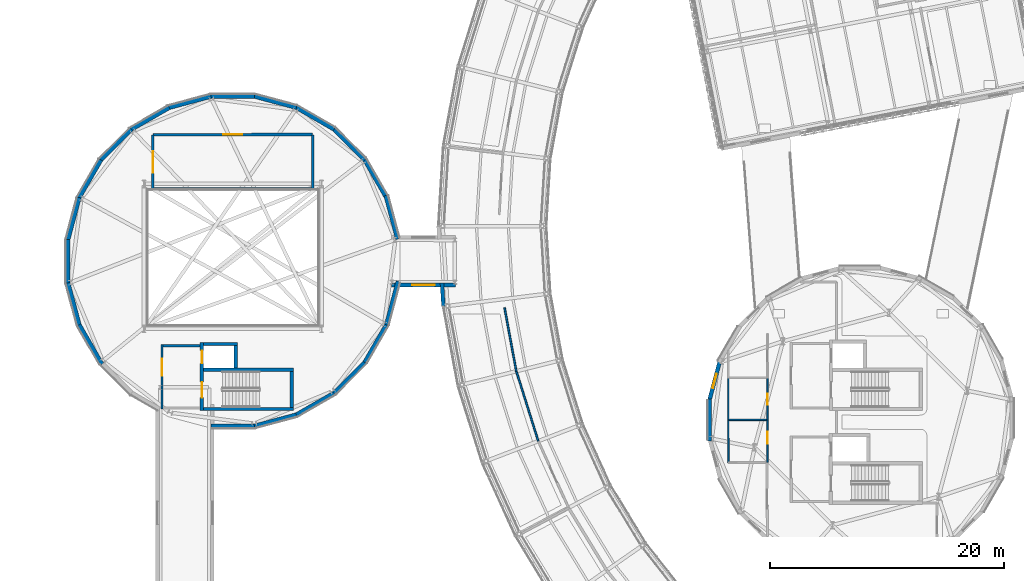
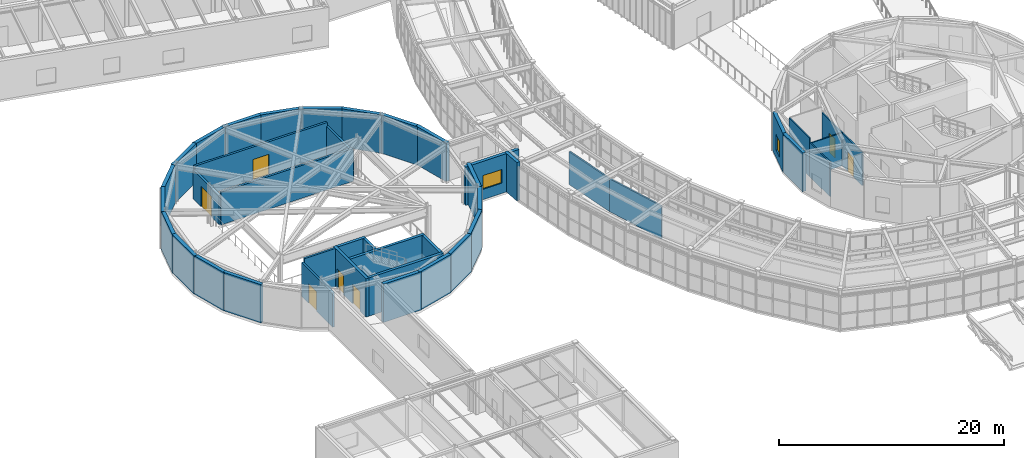
# One storey, part 75 of 103: 43 walls, 7 doors, 2 windows, 9 openings.
"""IFC4 building model written with IfcOpenShell, lengths in metres."""

from ifc_helpers import new_model, si_unit, direction, frame, frame_2d, origin, place, context, subcontext, project, spatial, rectangle, extrude, material, layer, layer_set, type_object, element, fill, save


model = new_model("IFC4")

# Units and contexts
model_context = context("Model", 3, precision=1e-05, world=origin(), true_north=direction((0.0, 1.0)))
body_context = subcontext(model_context, "Body", "Model", "MODEL_VIEW")
ifc_project = project(units=[si_unit("LENGTHUNIT", "METRE"), si_unit("AREAUNIT", "SQUARE_METRE"), si_unit("VOLUMEUNIT", "CUBIC_METRE"), si_unit("PLANEANGLEUNIT", "RADIAN"), si_unit("MASSUNIT", "GRAM", prefix="KILO")], contexts=[model_context])

# Site, building, storey
site_placement = place(None, origin())
site = spatial("IfcSite", under=ifc_project, at=site_placement, CompositionType="ELEMENT")
building_placement = place(site_placement, origin())
building = spatial("IfcBuilding", under=site, at=building_placement, Name="Varnklinge Art Gallery", CompositionType="ELEMENT")
storey_placement = place(building_placement, frame((0.0, 0.0, 5.10009765625)))
storey = spatial("IfcBuildingStorey", under=building, at=storey_placement, Name="L01", CompositionType="ELEMENT", Elevation=5.10009765625)

# Wall
ifc_material_1 = material(Name="Precast concrete C40/50", Category="concrete")
ifc_layer_1 = layer(ifc_material_1, 0.320068359375)
ifc_layer_set_1 = layer_set([ifc_layer_1], Name="Precast concrete C40/50")
wall_type_1 = type_object("IfcWallType", Name="EW-32", PredefinedType="SOLIDWALL", material=ifc_layer_set_1)
wall_1_placement = place(storey_placement, frame((39.810546875, 48.1240234375, 0.0), z_axis=(0.0, 0.0, 1.0), x_axis=(-0.060797305058, 0.998150132845, 0.0)))
element("IfcWall", 1, at=wall_1_placement, inside=storey, type_object=wall_type_1, Name="EW-V2O-L01-K26-2", PredefinedType="SOLIDWALL", context=body_context, shape_type="SweptSolid", body=[
    extrude(rectangle(XDim=1.999755859375, YDim=0.320068359375, at=frame_2d((1.0, 0.0))), origin(), (0.0, 0.0, 1.0), 4.179931640625),
])

# Wall, opening, window
wall_2_placement = place(storey_placement, frame((40.85009765625, 49.9599609375, 0.0), z_axis=(0.0, 0.0, 1.0), x_axis=(-1.0, 0.0, 0.0)))
wall_2 = element("IfcWall", 2, at=wall_2_placement, inside=storey, type_object=wall_type_1, Name="L01 Gallery Link Wall EW-LNK-V3-L01-S", PredefinedType="SOLIDWALL", context=body_context, shape_type="SweptSolid", body=[
    extrude(rectangle(XDim=5.5, YDim=0.320068359375, at=frame_2d((2.75, 0.0))), origin(), (0.0, 0.0, 1.0), 4.169921875),
])
opening_1_placement = place(wall_2_placement, frame((1.77490234375, 0.0, 1.1201171875)))
opening_1 = element("IfcOpeningElement", 3, at=opening_1_placement, cuts=wall_2, Name="Opening WN-05", PredefinedType="OPENING", context=body_context, shape_type="SweptSolid", body=[
    extrude(rectangle(XDim=1.949951171875, YDim=1.5, at=frame_2d((0.97509765625, 0.75))), frame((0.0, 0.170166015625, 0.0), z_axis=(0.0, -1.0, 0.0), x_axis=(1.0, 0.0, 0.0)), (0.0, 0.0, 1.0), 0.340087890625),
])
ifc_material_2 = material(Name="Insulated Low-E Triple Glazing", Category="glass")
window_type_1 = type_object("IfcWindowType", Name="WN-05", PartitioningType="SINGLE_PANEL", PredefinedType="WINDOW", material=ifc_material_2)
window_1_placement = place(opening_1_placement, origin())
window_1 = element("IfcWindow", 4, at=window_1_placement, inside=storey, type_object=window_type_1, Name="L01 Window WIN-L01-216", OverallHeight=1.5, OverallWidth=1.949951171875, PartitioningType="SINGLE_PANEL", PredefinedType="WINDOW", context=body_context, shape_type="SweptSolid", body=[
    extrude(rectangle(XDim=1.949951171875, YDim=1.5, at=frame_2d((0.97509765625, 0.75))), frame((0.0, 0.030029296875, 0.0), z_axis=(0.0, -1.0, 0.0), x_axis=(1.0, 0.0, 0.0)), (0.0, 0.0, 1.0), 0.06005859375),
])
fill(opening_1, window_1)

# Wall
ifc_material_3 = material(Name="Precast concrete C40/50", Category="concrete")
ifc_layer_2 = layer(ifc_material_3, 0.340087890625)
ifc_layer_set_2 = layer_set([ifc_layer_2], Name="Precast concrete C40/50")
wall_type_2 = type_object("IfcWallType", Name="EW-34", PredefinedType="SOLIDWALL", material=ifc_layer_set_2)
wall_3_placement = place(storey_placement, frame((62.5830078125, 36.62939453125, 0.0), z_axis=(0.0, 0.0, 1.0), x_axis=(0.0, 1.0, 0.0)))
element("IfcWall", 5, at=wall_3_placement, inside=storey, type_object=wall_type_2, Name="L01 Exterior Wall EW-V4D-L01-12", PredefinedType="SOLIDWALL", context=body_context, shape_type="SweptSolid", body=[
    extrude(rectangle(XDim=3.571044921875, YDim=0.340087890625, at=frame_2d((1.78564453125, 0.0))), origin(), (0.0, 0.0, 1.0), 4.199951171875),
])

# Wall, opening, window
wall_4_placement = place(storey_placement, frame((62.538818359375, 40.036376953125, 0.0), z_axis=(0.0, 0.0, 1.0), x_axis=(0.258828348784, 0.965923333327, 0.0)))
wall_4 = element("IfcWall", 6, at=wall_4_placement, inside=storey, type_object=wall_type_2, Name="L01 Exterior Wall EW-V4D-L01-13", PredefinedType="SOLIDWALL", context=body_context, shape_type="SweptSolid", body=[
    extrude(rectangle(XDim=3.571044921875, YDim=0.340087890625, at=frame_2d((1.78564453125, 0.0))), origin(), (0.0, 0.0, 1.0), 4.199951171875),
])
opening_2_placement = place(wall_4_placement, frame((1.16064453125, 0.0, 0.85009765625)))
opening_2 = element("IfcOpeningElement", 7, at=opening_2_placement, cuts=wall_4, Name="Opening WN-09", PredefinedType="OPENING", context=body_context, shape_type="SweptSolid", body=[
    extrude(rectangle(XDim=1.25, YDim=1.699951171875, at=frame_2d((0.625, 0.85009765625))), frame((0.0, 0.179931640625, 0.0), z_axis=(0.0, -1.0, 0.0), x_axis=(1.0, 0.0, 0.0)), (0.0, 0.0, 1.0), 0.360107421875),
])
ifc_material_4 = material(Name="Insulated Low-E Triple Glazing", Category="glass")
window_type_2 = type_object("IfcWindowType", Name="WN-09", PartitioningType="SINGLE_PANEL", PredefinedType="WINDOW", material=ifc_material_4)
window_2_placement = place(opening_2_placement, origin())
window_2 = element("IfcWindow", 8, at=window_2_placement, inside=storey, type_object=window_type_2, Name="L01 Window WIN-L01-080", OverallHeight=1.699951171875, OverallWidth=1.25, PartitioningType="SINGLE_PANEL", PredefinedType="WINDOW", context=body_context, shape_type="SweptSolid", body=[
    extrude(rectangle(XDim=1.25, YDim=1.699951171875, at=frame_2d((0.625, 0.85009765625))), frame((0.0, 0.030029296875, 0.0), z_axis=(0.0, -1.0, 0.0), x_axis=(1.0, 0.0, 0.0)), (0.0, 0.0, 1.0), 0.06005859375),
])
fill(opening_2, window_2)

# Walls
ifc_material_5 = material(Name="Concrete C40/50", Category="concrete")
ifc_layer_3 = layer(ifc_material_5, 0.360107421875)
ifc_layer_set_3 = layer_set([ifc_layer_3], Name="Concrete C40/50")
wall_type_3 = type_object("IfcWallType", Name="EW-36", PredefinedType="SOLIDWALL", material=ifc_layer_set_3)
wall_5_placement = place(storey_placement, frame((35.93701171875, 50.2939453125, 0.0), z_axis=(0.0, 0.0, 1.0), x_axis=(-0.258798150836, -0.965931424649, 0.0)))
element("IfcWall", 9, at=wall_5_placement, inside=storey, type_object=wall_type_3, Name="L01 Exterior Wall EW-V3-L01-01", PredefinedType="SOLIDWALL", context=body_context, shape_type="SweptSolid", body=[
    extrude(rectangle(XDim=3.866943359375, YDim=0.360107421875, at=frame_2d((1.93359375, 0.0))), origin(), (0.0, 0.0, 1.0), 4.169921875),
])
wall_6_placement = place(storey_placement, frame((35.026123046875, 46.71484375, 0.0), z_axis=(0.0, 0.0, 1.0), x_axis=(-0.499957759415, -0.866049790024, 0.0)))
element("IfcWall", 10, at=wall_6_placement, inside=storey, type_object=wall_type_3, Name="L01 Exterior Wall EW-V3-L01-02", PredefinedType="SOLIDWALL", context=body_context, shape_type="SweptSolid", body=[
    extrude(rectangle(XDim=3.891845703125, YDim=0.360107421875, at=frame_2d((1.94580078125, 0.0))), origin(), (0.0, 0.0, 1.0), 4.169921875),
])
wall_7_placement = place(storey_placement, frame((33.20751953125, 43.4716796875, 0.0), z_axis=(0.0, 0.0, 1.0), x_axis=(-0.707075413469, -0.707138147513, 0.0)))
element("IfcWall", 11, at=wall_7_placement, inside=storey, type_object=wall_type_3, Name="L01 Exterior Wall EW-V3-L01-03", PredefinedType="SOLIDWALL", context=body_context, shape_type="SweptSolid", body=[
    extrude(rectangle(XDim=3.8916015625, YDim=0.360107421875, at=frame_2d((1.94580078125, 0.0))), origin(), (0.0, 0.0, 1.0), 4.169921875),
])
wall_8_placement = place(storey_placement, frame((30.611572265625, 40.809814453125, 0.0), z_axis=(0.0, 0.0, 1.0), x_axis=(-0.866006944682, -0.50003197074, 0.0)))
element("IfcWall", 12, at=wall_8_placement, inside=storey, type_object=wall_type_3, Name="L01 Exterior Wall EW-V3-L01-04", PredefinedType="SOLIDWALL", context=body_context, shape_type="SweptSolid", body=[
    extrude(rectangle(XDim=3.891845703125, YDim=0.360107421875, at=frame_2d((1.94580078125, 0.0))), origin(), (0.0, 0.0, 1.0), 4.169921875),
])
wall_9_placement = place(storey_placement, frame((27.4150390625, 38.910400390625, 0.0), z_axis=(0.0, 0.0, 1.0), x_axis=(-0.965935451034, -0.258783122395, 0.0)))
element("IfcWall", 13, at=wall_9_placement, inside=storey, type_object=wall_type_3, Name="L01 Exterior Wall EW-V3-L01-05", PredefinedType="SOLIDWALL", context=body_context, shape_type="SweptSolid", body=[
    extrude(rectangle(XDim=3.8916015625, YDim=0.360107421875, at=frame_2d((1.94580078125, 0.0))), origin(), (0.0, 0.0, 1.0), 4.169921875),
])
wall_10_placement = place(storey_placement, frame((23.8359375, 37.9033203125, 0.0), z_axis=(0.0, 0.0, 1.0), x_axis=(-1.0, 0.0, 0.0)))
element("IfcWall", 14, at=wall_10_placement, inside=storey, type_object=wall_type_3, Name="L01 Exterior Wall EW-V3-L01-06", PredefinedType="SOLIDWALL", context=body_context, shape_type="SweptSolid", body=[
    extrude(rectangle(XDim=3.891845703125, YDim=0.360107421875, at=frame_2d((1.94580078125, 0.0))), origin(), (0.0, 0.0, 1.0), 4.169921875),
])
for number, where, z_axis, x_axis, name in (
    (15, (10.609619140625, 43.1884765625, 0.0), (0.0, 0.0, 1.0), (-0.499984921984, 0.866034108906, 0.0), "L01 Exterior Wall EW-V3-L01-09"),
    (16, (8.71044921875, 46.385009765625, 0.0), (0.0, 0.0, 1.0), (-0.25884165497, 0.96591976771, 0.0), "L01 Exterior Wall EW-V3-L01-10"),
):
    element("IfcWall", number, at=place(storey_placement, frame(where, z_axis=z_axis, x_axis=x_axis)), inside=storey, type_object=wall_type_3, Name=name, PredefinedType="SOLIDWALL", context=body_context, shape_type="SweptSolid", body=[
        extrude(rectangle(XDim=3.8916015625, YDim=0.360107421875, at=frame_2d((1.94580078125, 0.0))), origin(), (0.0, 0.0, 1.0), 4.169921875),
    ])
for number, where, z_axis, x_axis, name in (
    (17, (7.703125, 49.964111328125, 0.0), (0.0, 0.0, 1.0), (0.0, 1.0, 0.0), "L01 Exterior Wall EW-V3-L01-11"),
    (18, (7.656494140625, 53.681884765625, 0.0), (0.0, 0.0, 1.0), (0.258825971043, 0.965923970462, 0.0), "L01 Exterior Wall EW-V3-L01-12"),
):
    element("IfcWall", number, at=place(storey_placement, frame(where, z_axis=z_axis, x_axis=x_axis)), inside=storey, type_object=wall_type_3, Name=name, PredefinedType="SOLIDWALL", context=body_context, shape_type="SweptSolid", body=[
        extrude(rectangle(XDim=3.891845703125, YDim=0.360107421875, at=frame_2d((1.94580078125, 0.0))), origin(), (0.0, 0.0, 1.0), 4.169921875),
    ])
wall_11_placement = place(storey_placement, frame((8.57373046875, 57.28515625, 0.0), z_axis=(0.0, 0.0, 1.0), x_axis=(0.50000480732, 0.866022628259, 0.0)))
element("IfcWall", 19, at=wall_11_placement, inside=storey, type_object=wall_type_3, Name="L01 Exterior Wall EW-V3-L01-13", PredefinedType="SOLIDWALL", context=body_context, shape_type="SweptSolid", body=[
    extrude(rectangle(XDim=3.89208984375, YDim=0.360107421875, at=frame_2d((1.946044921875, 0.0))), origin(), (0.0, 0.0, 1.0), 4.169921875),
])
wall_12_placement = place(storey_placement, frame((10.392333984375, 60.5283203125, 0.0), z_axis=(0.0, 0.0, 1.0), x_axis=(0.707106781187, 0.707106781187, 0.0)))
element("IfcWall", 20, at=wall_12_placement, inside=storey, type_object=wall_type_3, Name="L01 Exterior Wall EW-V3-L01-14", PredefinedType="SOLIDWALL", context=body_context, shape_type="SweptSolid", body=[
    extrude(rectangle(XDim=3.891845703125, YDim=0.360107421875, at=frame_2d((1.94580078125, 0.0))), origin(), (0.0, 0.0, 1.0), 4.169921875),
])
wall_13_placement = place(storey_placement, frame((12.98828125, 63.190185546875, 0.0), z_axis=(0.0, 0.0, 1.0), x_axis=(0.866022628259, 0.50000480732, 0.0)))
element("IfcWall", 21, at=wall_13_placement, inside=storey, type_object=wall_type_3, Name="L01 Exterior Wall EW-V3-L01-15", PredefinedType="SOLIDWALL", context=body_context, shape_type="SweptSolid", body=[
    extrude(rectangle(XDim=3.89208984375, YDim=0.360107421875, at=frame_2d((1.946044921875, 0.0))), origin(), (0.0, 0.0, 1.0), 4.169921875),
])
wall_14_placement = place(storey_placement, frame((16.18505859375, 65.089599609375, 0.0), z_axis=(0.0, 0.0, 1.0), x_axis=(0.965935451034, 0.258783122395, 0.0)))
element("IfcWall", 22, at=wall_14_placement, inside=storey, type_object=wall_type_3, Name="L01 Exterior Wall EW-V3-L01-16", PredefinedType="SOLIDWALL", context=body_context, shape_type="SweptSolid", body=[
    extrude(rectangle(XDim=3.8916015625, YDim=0.360107421875, at=frame_2d((1.94580078125, 0.0))), origin(), (0.0, 0.0, 1.0), 4.169921875),
])
for number, where, z_axis, x_axis, name in (
    (23, (19.76416015625, 66.0966796875, 0.0), (0.0, 0.0, 1.0), (1.0, 0.0, 0.0), "L01 Exterior Wall EW-V3-L01-17"),
    (24, (23.48193359375, 66.143310546875, 0.0), (0.0, 0.0, 1.0), (0.965939651954, -0.258767441506, 0.0), "L01 Exterior Wall EW-V3-L01-18"),
):
    element("IfcWall", number, at=place(storey_placement, frame(where, z_axis=z_axis, x_axis=x_axis)), inside=storey, type_object=wall_type_3, Name=name, PredefinedType="SOLIDWALL", context=body_context, shape_type="SweptSolid", body=[
        extrude(rectangle(XDim=3.891845703125, YDim=0.360107421875, at=frame_2d((1.94580078125, 0.0))), origin(), (0.0, 0.0, 1.0), 4.169921875),
    ])
wall_15_placement = place(storey_placement, frame((27.085205078125, 65.226318359375, 0.0), z_axis=(0.0, 0.0, 1.0), x_axis=(0.866022628259, -0.50000480732, 0.0)))
element("IfcWall", 25, at=wall_15_placement, inside=storey, type_object=wall_type_3, Name="L01 Exterior Wall EW-V3-L01-19", PredefinedType="SOLIDWALL", context=body_context, shape_type="SweptSolid", body=[
    extrude(rectangle(XDim=3.89208984375, YDim=0.360107421875, at=frame_2d((1.946044921875, 0.0))), origin(), (0.0, 0.0, 1.0), 4.169921875),
])
for number, where, z_axis, x_axis, name in (
    (26, (30.328369140625, 63.40771484375, 0.0), (0.0, 0.0, 1.0), (0.707106781187, -0.707106781187, 0.0), "L01 Exterior Wall EW-V3-L01-20"),
    (27, (32.990234375, 60.8115234375, 0.0), (0.0, 0.0, 1.0), (0.50003197074, -0.866006944682, 0.0), "L01 Exterior Wall EW-V3-L01-21"),
):
    element("IfcWall", number, at=place(storey_placement, frame(where, z_axis=z_axis, x_axis=x_axis)), inside=storey, type_object=wall_type_3, Name=name, PredefinedType="SOLIDWALL", context=body_context, shape_type="SweptSolid", body=[
        extrude(rectangle(XDim=3.891845703125, YDim=0.360107421875, at=frame_2d((1.94580078125, 0.0))), origin(), (0.0, 0.0, 1.0), 4.169921875),
    ])
wall_16_placement = place(storey_placement, frame((34.8896484375, 57.614990234375, 0.0), z_axis=(0.0, 0.0, 1.0), x_axis=(0.258798150836, -0.965931424649, 0.0)))
element("IfcWall", 28, at=wall_16_placement, inside=storey, type_object=wall_type_3, Name="L01 Exterior Wall EW-V3-L01-22", PredefinedType="SOLIDWALL", context=body_context, shape_type="SweptSolid", body=[
    extrude(rectangle(XDim=3.866943359375, YDim=0.360107421875, at=frame_2d((1.93359375, 0.0))), origin(), (0.0, 0.0, 1.0), 4.169921875),
])

# Wall, opening, door
ifc_material_6 = material(Name="Gypsum Board Partition", Category="gypsum")
ifc_layer_4 = layer(ifc_material_6, 0.1201171875)
ifc_layer_set_4 = layer_set([ifc_layer_4], Name="Gypsum Board Partition")
wall_type_4 = type_object("IfcWallType", Name="IW-12", PredefinedType="PARTITIONING", material=ifc_layer_set_4)
wall_17_placement = place(storey_placement, frame((67.530029296875, 38.39990234375, 0.0), z_axis=(0.0, 0.0, 1.0), x_axis=(0.0, -1.0, 0.0)))
wall_17 = element("IfcWall", 29, at=wall_17_placement, inside=storey, type_object=wall_type_4, Name="L01 Partition Wall IW-L01-0207", PredefinedType="PARTITIONING", context=body_context, shape_type="SweptSolid", body=[
    extrude(rectangle(XDim=3.599853515625, YDim=0.1201171875, at=frame_2d((1.7998046875, 0.0))), origin(), (0.0, 0.0, 1.0), 3.58984375),
])
opening_3_placement = place(wall_17_placement, frame((1.001953125, 0.0, 0.0)))
opening_3 = element("IfcOpeningElement", 30, at=opening_3_placement, cuts=wall_17, Name="Opening D-L01-198", PredefinedType="OPENING", context=body_context, shape_type="SweptSolid", body=[
    extrude(rectangle(XDim=1.02001953125, YDim=2.1201171875, at=frame_2d((0.510009765625, 1.06005859375))), frame((0.0, 0.070068359375, 0.0), z_axis=(0.0, -1.0, 0.0), x_axis=(1.0, 0.0, 0.0)), (0.0, 0.0, 1.0), 0.14013671875),
])
ifc_material_7 = material(Name="Oak Timber Leaf", Category="wood")
door_type_1 = type_object("IfcDoorType", Name="ID-03", OperationType="SINGLE_SWING_LEFT", PredefinedType="DOOR", material=ifc_material_7)
door_1_placement = place(opening_3_placement, origin())
door_1 = element("IfcDoor", 31, at=door_1_placement, inside=storey, type_object=door_type_1, Name="L01 L01 Accessible WC Central Door D-L01-198", OperationType="SINGLE_SWING_RIGHT", OverallHeight=2.1201171875, OverallWidth=1.02001953125, PredefinedType="DOOR", context=body_context, shape_type="SweptSolid", body=[
    extrude(rectangle(XDim=1.02001953125, YDim=2.1201171875, at=frame_2d((0.510009765625, 1.06005859375))), frame((0.0, 0.02490234375, 0.0), z_axis=(0.0, -1.0, 0.0), x_axis=(1.0, 0.0, 0.0)), (0.0, 0.0, 1.0), 0.050048828125),
])
fill(opening_3, door_1)

wall_18_placement = place(storey_placement, frame((67.530029296875, 42.0, 0.0), z_axis=(0.0, 0.0, 1.0), x_axis=(0.0, -1.0, 0.0)))
wall_18 = element("IfcWall", 32, at=wall_18_placement, inside=storey, type_object=wall_type_4, Name="L01 Partition Wall IW-L01-0208", PredefinedType="PARTITIONING", context=body_context, shape_type="SweptSolid", body=[
    extrude(rectangle(XDim=3.60009765625, YDim=0.1201171875, at=frame_2d((1.800048828125, 0.0))), origin(), (0.0, 0.0, 1.0), 3.58984375),
])
opening_4_placement = place(wall_18_placement, frame((1.320068359375, 0.0, 0.0)))
opening_4 = element("IfcOpeningElement", 33, at=opening_4_placement, cuts=wall_18, Name="Opening D-L01-199", PredefinedType="OPENING", context=body_context, shape_type="SweptSolid", body=[
    extrude(rectangle(XDim=0.9599609375, YDim=2.10009765625, at=frame_2d((0.47998046875, 1.050048828125))), frame((0.0, 0.070068359375, 0.0), z_axis=(0.0, -1.0, 0.0), x_axis=(1.0, 0.0, 0.0)), (0.0, 0.0, 1.0), 0.14013671875),
])
ifc_material_8 = material(Name="Oak Timber Leaf", Category="wood")
door_type_2 = type_object("IfcDoorType", Name="ID-02", OperationType="SINGLE_SWING_RIGHT", PredefinedType="DOOR", material=ifc_material_8)
door_2_placement = place(opening_4_placement, origin())
door_2 = element("IfcDoor", 34, at=door_2_placement, inside=storey, type_object=door_type_2, Name="L01 L01 Public Restroom Central Door D-L01-199", OperationType="SINGLE_SWING_LEFT", OverallHeight=2.10009765625, OverallWidth=0.9599609375, PredefinedType="DOOR", context=body_context, shape_type="SweptSolid", body=[
    extrude(rectangle(XDim=0.9599609375, YDim=2.10009765625, at=frame_2d((0.47998046875, 1.050048828125))), frame((0.0, 0.02490234375, 0.0), z_axis=(0.0, -1.0, 0.0), x_axis=(1.0, 0.0, 0.0)), (0.0, 0.0, 1.0), 0.050048828125),
])
fill(opening_4, door_2)

# Walls
wall_19_placement = place(storey_placement, frame((64.199951171875, 38.429931640625, 0.0), z_axis=(0.0, 0.0, 1.0), x_axis=(1.0, 0.0, 0.0)))
element("IfcWall", 35, at=wall_19_placement, inside=storey, type_object=wall_type_4, Name="L01 Partition Wall IW-L01-0247", PredefinedType="PARTITIONING", context=body_context, shape_type="SweptSolid", body=[
    extrude(rectangle(XDim=3.255126953125, YDim=0.1201171875, at=frame_2d((1.62744140625, 0.0))), origin(), (0.0, 0.0, 1.0), 3.58984375),
])
wall_20_placement = place(storey_placement, frame((64.1767578125, 34.781005859375, 0.0), z_axis=(0.0, 0.0, 1.0), x_axis=(-0.001888952982, 0.999998215927, 0.0)))
element("IfcWall", 36, at=wall_20_placement, inside=storey, type_object=wall_type_4, Name="L01 Partition Wall IW-L01-0249", PredefinedType="PARTITIONING", context=body_context, shape_type="SweptSolid", body=[
    extrude(rectangle(XDim=3.618896484375, YDim=0.1201171875, at=frame_2d((1.8095703125, 0.0))), origin(), (0.0, 0.0, 1.0), 3.739990234375),
])
wall_21_placement = place(storey_placement, frame((64.169921875, 38.39990234375, 0.0), z_axis=(0.0, 0.0, 1.0), x_axis=(0.0, 1.0, 0.0)))
element("IfcWall", 37, at=wall_21_placement, inside=storey, type_object=wall_type_4, Name="L01 Partition Wall IW-L01-0251", PredefinedType="PARTITIONING", context=body_context, shape_type="SweptSolid", body=[
    extrude(rectangle(XDim=3.60009765625, YDim=0.1201171875, at=frame_2d((1.800048828125, 0.0))), origin(), (0.0, 0.0, 1.0), 4.18994140625),
])
ifc_material_9 = material(Name="Gypsum Board Partition", Category="gypsum")
ifc_layer_5 = layer(ifc_material_9, 0.14990234375)
ifc_layer_set_5 = layer_set([ifc_layer_5], Name="Gypsum Board Partition")
wall_type_5 = type_object("IfcWallType", Name="IW-15", PredefinedType="PARTITIONING", material=ifc_layer_set_5)
wall_22_placement = place(storey_placement, frame((47.9189453125, 36.61279296875, 0.0), z_axis=(0.0, 0.0, 1.0), x_axis=(-0.299731275576, 0.954023669749, 0.0)))
element("IfcWall", 38, at=wall_22_placement, inside=storey, type_object=wall_type_5, Name="L01 Partition Wall IW-L01-0192", PredefinedType="PARTITIONING", context=body_context, shape_type="SweptSolid", body=[
    extrude(rectangle(XDim=6.260498046875, YDim=0.14990234375, at=frame_2d((3.13037109375, 0.0))), origin(), (0.0, 0.0, 1.0), 3.56982421875),
])
wall_23_placement = place(storey_placement, frame((46.04248046875, 42.58544921875, 0.0), z_axis=(0.0, 0.0, 1.0), x_axis=(-0.181670810404, 0.983359403599, 0.0)))
element("IfcWall", 39, at=wall_23_placement, inside=storey, type_object=wall_type_5, Name="L01 Partition Wall IW-L01-0193", PredefinedType="PARTITIONING", context=body_context, shape_type="SweptSolid", body=[
    extrude(rectangle(XDim=5.53662109375, YDim=0.14990234375, at=frame_2d((2.768310546875, 0.0))), origin(), (0.0, 0.0, 1.0), 3.56982421875),
])
ifc_material_10 = material(Name="Concrete C40/50", Category="concrete")
ifc_layer_6 = layer(ifc_material_10, 0.199951171875)
ifc_layer_set_6 = layer_set([ifc_layer_6], Name="Concrete C40/50")
wall_type_6 = type_object("IfcWallType", Name="IW-20", PredefinedType="PARTITIONING", material=ifc_layer_set_6)
wall_24_placement = place(storey_placement, frame((19.0, 44.760009765625, 0.0), z_axis=(0.0, 0.0, 1.0), x_axis=(-1.0, 0.0, 0.0)))
element("IfcWall", 40, at=wall_24_placement, inside=storey, type_object=wall_type_6, Name="L01 Core C6 Lobby North Wall", PredefinedType="PARTITIONING", context=body_context, shape_type="SweptSolid", body=[
    extrude(rectangle(XDim=3.14990234375, YDim=0.199951171875, at=frame_2d((1.574951171875, 0.0))), origin(), (0.0, 0.0, 1.0), 4.169921875),
])

# Wall, opening, door
wall_25_placement = place(storey_placement, frame((15.75, 39.35009765625, 0.0), z_axis=(0.0, 0.0, 1.0), x_axis=(0.0, 1.0, 0.0)))
wall_25 = element("IfcWall", 41, at=wall_25_placement, inside=storey, type_object=wall_type_6, Name="L01 Core C6 Lobby Corridor Wall", PredefinedType="PARTITIONING", context=body_context, shape_type="SweptSolid", body=[
    extrude(rectangle(XDim=5.510009765625, YDim=0.199951171875, at=frame_2d((2.7548828125, 0.0))), origin(), (0.0, 0.0, 1.0), 3.7099609375),
])
opening_5_placement = place(wall_25_placement, frame((2.841552734375, 0.0, 0.0)))
opening_5 = element("IfcOpeningElement", 42, at=opening_5_placement, cuts=wall_25, Name="Opening D-L01-093", PredefinedType="OPENING", context=body_context, shape_type="SweptSolid", body=[
    extrude(rectangle(XDim=1.47998046875, YDim=2.14990234375, at=frame_2d((0.739990234375, 1.074951171875))), frame((0.0, 0.110107421875, 0.0), z_axis=(0.0, -1.0, 0.0), x_axis=(1.0, 0.0, 0.0)), (0.0, 0.0, 1.0), 0.219970703125),
])
ifc_material_11 = material(Name="Galvanised Fire-Rated Steel", Category="steel")
door_type_3 = type_object("IfcDoorType", Name="ID-LB1", OperationType="DOUBLE_DOOR_SINGLE_SWING", PredefinedType="DOOR", material=ifc_material_11)
door_3_placement = place(opening_5_placement, origin())
door_3 = element("IfcDoor", 43, at=door_3_placement, inside=storey, type_object=door_type_3, Name="L01 Core C6 Protected Lobby Door D-L01-093", OperationType="DOUBLE_DOOR_SINGLE_SWING", OverallHeight=2.14990234375, OverallWidth=1.47998046875, PredefinedType="DOOR", context=body_context, shape_type="SweptSolid", body=[
    extrude(rectangle(XDim=1.47998046875, YDim=2.14990234375, at=frame_2d((0.739990234375, 1.074951171875))), frame((0.0, 0.02490234375, 0.0), z_axis=(0.0, -1.0, 0.0), x_axis=(1.0, 0.0, 0.0)), (0.0, 0.0, 1.0), 0.050048828125),
])
fill(opening_5, door_3)

ifc_material_12 = material(Name="Concrete C40/50", Category="concrete")
ifc_layer_7 = layer(ifc_material_12, 0.219970703125)
ifc_layer_set_7 = layer_set([ifc_layer_7], Name="Concrete C40/50")
wall_type_7 = type_object("IfcWallType", Name="IW-22", PredefinedType="PARTITIONING", material=ifc_layer_set_7)
wall_26_placement = place(storey_placement, frame((14.969970703125, 58.199951171875, 0.0), z_axis=(0.0, 0.0, 1.0), x_axis=(0.0, 1.0, 0.0)))
wall_26 = element("IfcWall", 44, at=wall_26_placement, inside=storey, type_object=wall_type_7, Name="L01 Partition Wall IW-L01-0203", PredefinedType="PARTITIONING", context=body_context, shape_type="SweptSolid", body=[
    extrude(rectangle(XDim=4.60009765625, YDim=0.219970703125, at=frame_2d((2.300048828125, 0.0))), origin(), (0.0, 0.0, 1.0), 3.14990234375),
])
opening_6_placement = place(wall_26_placement, frame((1.3798828125, 0.0, 0.0)))
opening_6 = element("IfcOpeningElement", 45, at=opening_6_placement, cuts=wall_26, Name="Opening D-L01-196", PredefinedType="OPENING", context=body_context, shape_type="SweptSolid", body=[
    extrude(rectangle(XDim=1.840087890625, YDim=2.219970703125, at=frame_2d((0.919921875, 1.10986328125))), frame((0.0, 0.119873046875, 0.0), z_axis=(0.0, -1.0, 0.0), x_axis=(1.0, 0.0, 0.0)), (0.0, 0.0, 1.0), 0.239990234375),
])
ifc_material_13 = material(Name="Anodised Aluminium", Category="aluminium")
door_type_4 = type_object("IfcDoorType", Name="ID-09", OperationType="DOUBLE_DOOR_SINGLE_SWING", PredefinedType="DOOR", material=ifc_material_13)
door_4_placement = place(opening_6_placement, origin())
door_4 = element("IfcDoor", 46, at=door_4_placement, inside=storey, type_object=door_type_4, Name="L01 L01 Raked Auditorium Upper Tier Door D-L01-196", OperationType="DOUBLE_DOOR_SINGLE_SWING", OverallHeight=2.219970703125, OverallWidth=1.840087890625, PredefinedType="DOOR", context=body_context, shape_type="SweptSolid", body=[
    extrude(rectangle(XDim=1.840087890625, YDim=2.219970703125, at=frame_2d((0.919921875, 1.10986328125))), frame((0.0, 0.02490234375, 0.0), z_axis=(0.0, -1.0, 0.0), x_axis=(1.0, 0.0, 0.0)), (0.0, 0.0, 1.0), 0.050048828125),
])
fill(opening_6, door_4)

wall_27_placement = place(storey_placement, frame((14.9912109375, 62.82861328125, 0.0), z_axis=(0.0, 0.0, 1.0), x_axis=(0.999999994207, 0.000107638764, 0.0)))
wall_27 = element("IfcWall", 47, at=wall_27_placement, inside=storey, type_object=wall_type_7, Name="L01 Partition Wall IW-L01-0204", PredefinedType="PARTITIONING", context=body_context, shape_type="SweptSolid", body=[
    extrude(rectangle(XDim=13.60888671875, YDim=0.219970703125, at=frame_2d((6.804443359375, 0.0))), origin(), (0.0, 0.0, 1.0), 3.559814453125),
])
opening_7_placement = place(wall_27_placement, frame((5.984375, 0.0, 0.0)))
opening_7 = element("IfcOpeningElement", 48, at=opening_7_placement, cuts=wall_27, Name="Opening D-L01-197", PredefinedType="OPENING", context=body_context, shape_type="SweptSolid", body=[
    extrude(rectangle(XDim=1.639892578125, YDim=2.199951171875, at=frame_2d((0.81982421875, 1.10009765625))), frame((0.0, 0.119873046875, 0.0), z_axis=(0.0, -1.0, 0.0), x_axis=(1.0, 0.0, 0.0)), (0.0, 0.0, 1.0), 0.239990234375),
])
ifc_material_14 = material(Name="Oak Timber Leaf", Category="wood")
door_type_5 = type_object("IfcDoorType", Name="ID-08", OperationType="DOUBLE_DOOR_SINGLE_SWING", PredefinedType="DOOR", material=ifc_material_14)
door_5_placement = place(opening_7_placement, origin())
door_5 = element("IfcDoor", 49, at=door_5_placement, inside=storey, type_object=door_type_5, Name="L01 L01 Raked Auditorium Upper Tier Door D-L01-197", OperationType="DOUBLE_DOOR_SINGLE_SWING", OverallHeight=2.199951171875, OverallWidth=1.639892578125, PredefinedType="DOOR", context=body_context, shape_type="SweptSolid", body=[
    extrude(rectangle(XDim=1.639892578125, YDim=2.199951171875, at=frame_2d((0.81982421875, 1.10009765625))), frame((0.0, 0.02490234375, 0.0), z_axis=(0.0, -1.0, 0.0), x_axis=(1.0, 0.0, 0.0)), (0.0, 0.0, 1.0), 0.050048828125),
])
fill(opening_7, door_5)

# Walls
wall_28_placement = place(storey_placement, frame((28.628662109375, 62.80859375, 0.0), z_axis=(0.0, 0.0, 1.0), x_axis=(0.000264872587, -0.999999964921, 0.0)))
element("IfcWall", 50, at=wall_28_placement, inside=storey, type_object=wall_type_7, Name="L01 Partition Wall IW-L01-0205", PredefinedType="PARTITIONING", context=body_context, shape_type="SweptSolid", body=[
    extrude(rectangle(XDim=4.608642578125, YDim=0.219970703125, at=frame_2d((2.30419921875, 0.0))), origin(), (0.0, 0.0, 1.0), 3.14990234375),
])
wall_29_placement = place(storey_placement, frame((28.608642578125, 58.17138671875, 0.0), z_axis=(0.0, 0.0, 1.0), x_axis=(-0.999999994207, -0.000107640695, 0.0)))
element("IfcWall", 51, at=wall_29_placement, inside=storey, type_object=wall_type_7, Name="L01 Partition Wall IW-L01-0206", PredefinedType="PARTITIONING", context=body_context, shape_type="SweptSolid", body=[
    extrude(rectangle(XDim=13.608642578125, YDim=0.219970703125, at=frame_2d((6.80419921875, 0.0))), origin(), (0.0, 0.0, 1.0), 3.559814453125),
])
ifc_material_15 = material(Name="Concrete C40/50", Category="concrete")
ifc_layer_8 = layer(ifc_material_15, 0.280029296875)
ifc_layer_set_8 = layer_set([ifc_layer_8], Name="Concrete C40/50")
wall_type_8 = type_object("IfcWallType", Name="SW-28", PredefinedType="SHEAR", material=ifc_layer_set_8)
wall_30_placement = place(storey_placement, frame((19.2900390625, 39.35009765625, 0.0), z_axis=(0.0, 0.0, 1.0), x_axis=(1.0, 0.0, 0.0)))
element("IfcWall", 52, at=wall_30_placement, inside=storey, type_object=wall_type_8, Name="L01 Core C6 South Shear Wall", PredefinedType="SHEAR", context=body_context, shape_type="SweptSolid", body=[
    extrude(rectangle(XDim=7.699951171875, YDim=0.280029296875, at=frame_2d((3.85009765625, 0.0))), origin(), (0.0, 0.0, 1.0), 4.169921875),
])
wall_31_placement = place(storey_placement, frame((26.85009765625, 39.489990234375, 0.0), z_axis=(0.0, 0.0, 1.0), x_axis=(0.0, 1.0, 0.0)))
element("IfcWall", 53, at=wall_31_placement, inside=storey, type_object=wall_type_8, Name="L01 Core C6 East Shear Wall", PredefinedType="SHEAR", context=body_context, shape_type="SweptSolid", body=[
    extrude(rectangle(XDim=3.080078125, YDim=0.280029296875, at=frame_2d((1.5400390625, 0.0))), origin(), (0.0, 0.0, 1.0), 4.169921875),
])
wall_32_placement = place(storey_placement, frame((26.989990234375, 42.7099609375, 0.0), z_axis=(0.0, 0.0, 1.0), x_axis=(-1.0, 0.0, 0.0)))
element("IfcWall", 54, at=wall_32_placement, inside=storey, type_object=wall_type_8, Name="L01 Core C6 Dividing Shear Wall", PredefinedType="SHEAR", context=body_context, shape_type="SweptSolid", body=[
    extrude(rectangle(XDim=7.699951171875, YDim=0.280029296875, at=frame_2d((3.85009765625, 0.0))), origin(), (0.0, 0.0, 1.0), 4.169921875),
])
wall_33_placement = place(storey_placement, frame((22.050048828125, 42.85009765625, 0.0), z_axis=(0.0, 0.0, 1.0), x_axis=(0.0, 1.0, 0.0)))
element("IfcWall", 55, at=wall_33_placement, inside=storey, type_object=wall_type_8, Name="L01 Core C6 Lift East Shear Wall", PredefinedType="SHEAR", context=body_context, shape_type="SweptSolid", body=[
    extrude(rectangle(XDim=1.919921875, YDim=0.280029296875, at=frame_2d((0.9599609375, 0.0))), origin(), (0.0, 0.0, 1.0), 4.169921875),
])
wall_34_placement = place(storey_placement, frame((22.18994140625, 44.909912109375, 0.0), z_axis=(0.0, 0.0, 1.0), x_axis=(-1.0, 0.0, 0.0)))
element("IfcWall", 56, at=wall_34_placement, inside=storey, type_object=wall_type_8, Name="L01 Core C6 Lift North Shear Wall", PredefinedType="SHEAR", context=body_context, shape_type="SweptSolid", body=[
    extrude(rectangle(XDim=2.89990234375, YDim=0.280029296875, at=frame_2d((1.449951171875, 0.0))), origin(), (0.0, 0.0, 1.0), 4.169921875),
])

# Wall, openings, doors
wall_35_placement = place(storey_placement, frame((19.14990234375, 45.050048828125, 0.0), z_axis=(0.0, 0.0, 1.0), x_axis=(0.0, -1.0, 0.0)))
wall_35 = element("IfcWall", 57, at=wall_35_placement, inside=storey, type_object=wall_type_8, Name="L01 Core C6 Front Shear Wall", PredefinedType="SHEAR", context=body_context, shape_type="SweptSolid", body=[
    extrude(rectangle(XDim=5.840087890625, YDim=0.280029296875, at=frame_2d((2.919921875, 0.0))), origin(), (0.0, 0.0, 1.0), 4.169921875),
])
opening_8_placement = place(wall_35_placement, frame((0.699951171875, 0.0, 0.0)))
opening_8 = element("IfcOpeningElement", 58, at=opening_8_placement, cuts=wall_35, Name="Opening LD-L01-091", PredefinedType="OPENING", context=body_context, shape_type="SweptSolid", body=[
    extrude(rectangle(XDim=1.10009765625, YDim=2.1201171875, at=frame_2d((0.550048828125, 1.06005859375))), frame((0.0, 0.150146484375, 0.0), z_axis=(0.0, -1.0, 0.0), x_axis=(1.0, 0.0, 0.0)), (0.0, 0.0, 1.0), 0.300048828125),
])
opening_9_placement = place(wall_35_placement, frame((3.39990234375, 0.0, 0.0)))
opening_9 = element("IfcOpeningElement", 59, at=opening_9_placement, cuts=wall_35, Name="Opening D-L01-092", PredefinedType="OPENING", context=body_context, shape_type="SweptSolid", body=[
    extrude(rectangle(XDim=1.320068359375, YDim=2.1201171875, at=frame_2d((0.66015625, 1.06005859375))), frame((0.0, 0.150146484375, 0.0), z_axis=(0.0, -1.0, 0.0), x_axis=(1.0, 0.0, 0.0)), (0.0, 0.0, 1.0), 0.300048828125),
])
ifc_material_16 = material(Name="Galvanised Fire-Rated Steel", Category="steel")
door_type_6 = type_object("IfcDoorType", Name="ID-ST1", OperationType="SINGLE_SWING_LEFT", PredefinedType="DOOR", material=ifc_material_16)
door_6_placement = place(opening_9_placement, origin())
door_6 = element("IfcDoor", 60, at=door_6_placement, inside=storey, type_object=door_type_6, Name="L01 Stair ST-06 Fire Door D-L01-092", OperationType="SINGLE_SWING_LEFT", OverallHeight=2.1201171875, OverallWidth=1.320068359375, PredefinedType="DOOR", context=body_context, shape_type="SweptSolid", body=[
    extrude(rectangle(XDim=1.320068359375, YDim=2.1201171875, at=frame_2d((0.66015625, 1.06005859375))), frame((0.0, 0.02490234375, 0.0), z_axis=(0.0, -1.0, 0.0), x_axis=(1.0, 0.0, 0.0)), (0.0, 0.0, 1.0), 0.050048828125),
])
fill(opening_9, door_6)
ifc_material_17 = material(Name="Anodised Aluminium", Category="aluminium")
door_type_7 = type_object("IfcDoorType", Name="LD-PAX", OperationType="SLIDING_TO_LEFT", PredefinedType="DOOR", material=ifc_material_17)
door_7_placement = place(opening_8_placement, origin())
door_7 = element("IfcDoor", 61, at=door_7_placement, inside=storey, type_object=door_type_7, Name="L01 LF-05 Sliding Landing Door LD-L01-091", OperationType="SLIDING_TO_LEFT", OverallHeight=2.1201171875, OverallWidth=1.10009765625, PredefinedType="DOOR", context=body_context, shape_type="SweptSolid", body=[
    extrude(rectangle(XDim=1.10009765625, YDim=2.1201171875, at=frame_2d((0.550048828125, 1.06005859375))), frame((0.0, 0.02490234375, 0.0), z_axis=(0.0, -1.0, 0.0), x_axis=(1.0, 0.0, 0.0)), (0.0, 0.0, 1.0), 0.050048828125),
])
fill(opening_8, door_7)

save(model, "model.ifc")
